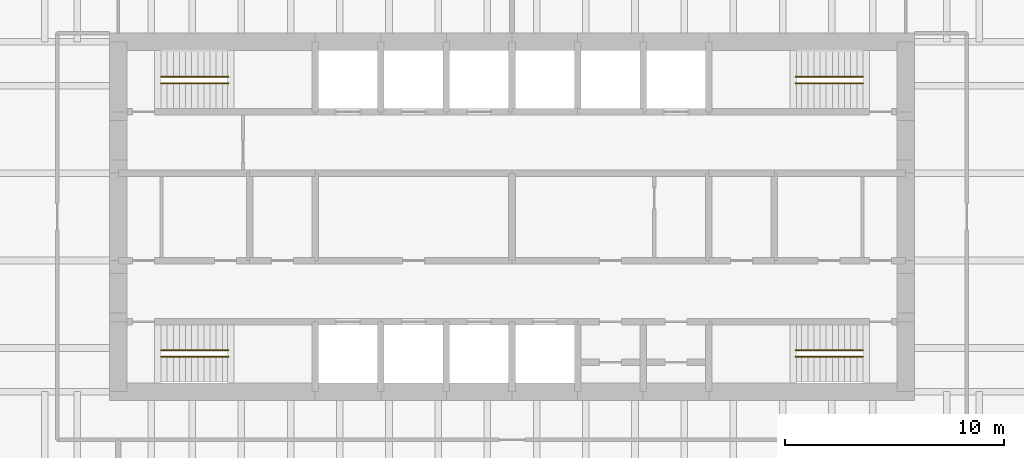
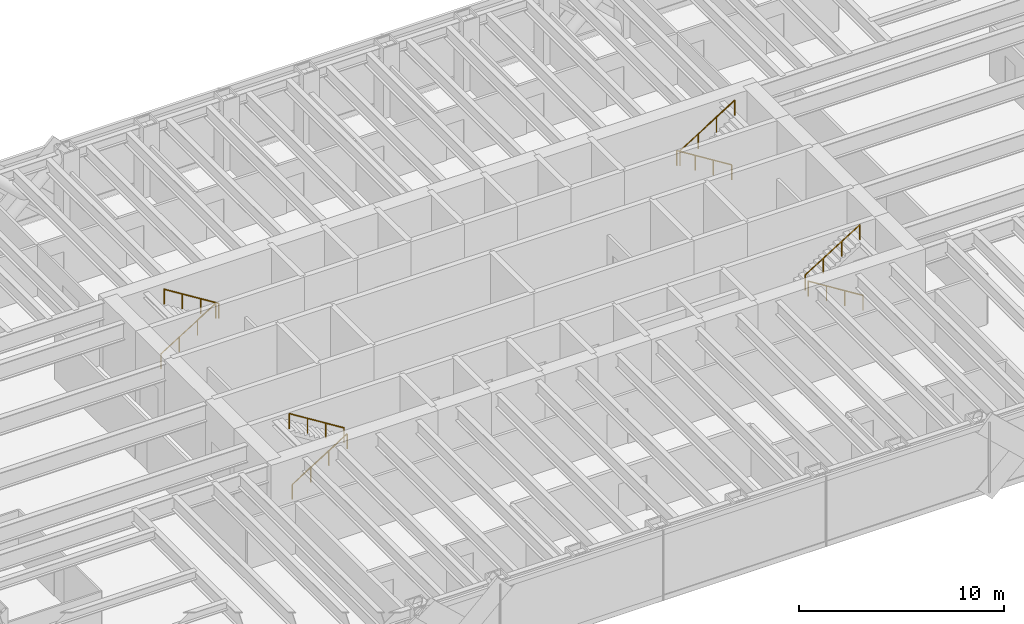
# One storey, part 17 of 17: 8 railings.
"""IFC4 building model written with IfcOpenShell, lengths in metres."""

from ifc_helpers import new_model, si_unit, direction, frame, origin, origin_2d, place, context, subcontext, project, spatial, circle, extrude, material, type_object, element, save


model = new_model("IFC4")

# Units and contexts
model_context = context("Model", 3, precision=1e-05, world=origin(), true_north=direction((0.0, 1.0)))
body_context = subcontext(model_context, "Body", "Model", "MODEL_VIEW")
ifc_project = project(units=[si_unit("LENGTHUNIT", "METRE"), si_unit("AREAUNIT", "SQUARE_METRE"), si_unit("VOLUMEUNIT", "CUBIC_METRE"), si_unit("PLANEANGLEUNIT", "RADIAN"), si_unit("MASSUNIT", "GRAM", prefix="KILO")], contexts=[model_context])

# Site, building, storey
site_placement = place(None, origin())
site = spatial("IfcSite", under=ifc_project, at=site_placement, CompositionType="ELEMENT")
building_placement = place(site_placement, origin())
building = spatial("IfcBuilding", under=site, at=building_placement, Name="Rheinbord Bourse Tower", CompositionType="ELEMENT")
storey_placement = place(building_placement, frame((0.0, 0.0, 227.800048828125)))
storey = spatial("IfcBuildingStorey", under=building, at=storey_placement, Name="L51", CompositionType="ELEMENT", Elevation=227.800048828125)

# Railings
ifc_material = material(Name="Steel handrail", Category="steel")
railing_type = type_object("IfcRailingType", Name="HANDRAIL 900", PredefinedType="HANDRAIL", material=ifc_material)
railing_1_placement = place(storey_placement, frame((19.949951171875, 17.60009765625, 0.175048828125)))
element("IfcRailing", 1, at=railing_1_placement, inside=storey, type_object=railing_type, Name="Handrail", PredefinedType="HANDRAIL", context=body_context, shape_type="SweptSolid", body=[
    extrude(circle(Radius=0.02392578125, at=origin_2d()), frame((0.0, 0.0, 0.8759765625), z_axis=(0.848028513186, 0.0, 0.529950602248), x_axis=(0.0, 1.0, 0.0)), (0.0, 0.0, 1.0), 3.632080078125),
    extrude(circle(Radius=0.02099609375, at=origin_2d()), origin(), (0.0, 0.0, 1.0), 0.851806640625),
    extrude(circle(Radius=0.02099609375, at=origin_2d()), frame((1.026611328125, 0.0, 0.6416015625)), (0.0, 0.0, 1.0), 0.851806640625),
    extrude(circle(Radius=0.02099609375, at=origin_2d()), frame((2.053466796875, 0.0, 1.283203125)), (0.0, 0.0, 1.0), 0.851806640625),
    extrude(circle(Radius=0.02099609375, at=origin_2d()), frame((3.080078125, 0.0, 1.9248046875)), (0.0, 0.0, 1.0), 0.851806640625),
])
railing_2_placement = place(storey_placement, frame((23.030029296875, 17.89990234375, 2.27490234375)))
element("IfcRailing", 2, at=railing_2_placement, inside=storey, type_object=railing_type, Name="Handrail", PredefinedType="HANDRAIL", context=body_context, shape_type="SweptSolid", body=[
    extrude(circle(Radius=0.02392578125, at=origin_2d()), frame((0.0, 0.0, 0.8759765625), z_axis=(-0.847998304005, 0.0, 0.529998940003), x_axis=(0.0, -1.0, 0.0)), (0.0, 0.0, 1.0), 3.632080078125),
    extrude(circle(Radius=0.02099609375, at=origin_2d()), origin(), (0.0, 0.0, 1.0), 0.851806640625),
    extrude(circle(Radius=0.02099609375, at=origin_2d()), frame((-1.026611328125, 0.0, 0.6416015625)), (0.0, 0.0, 1.0), 0.851806640625),
    extrude(circle(Radius=0.02099609375, at=origin_2d()), frame((-2.053466796875, 0.0, 1.283447265625)), (0.0, 0.0, 1.0), 0.851806640625),
    extrude(circle(Radius=0.02099609375, at=origin_2d()), frame((-3.080078125, 0.0, 1.925048828125)), (0.0, 0.0, 1.0), 0.851806640625),
])
railing_3_placement = place(storey_placement, frame((19.949951171875, 30.39990234375, 0.175048828125)))
element("IfcRailing", 3, at=railing_3_placement, inside=storey, type_object=railing_type, Name="Handrail", PredefinedType="HANDRAIL", context=body_context, shape_type="SweptSolid", body=[
    extrude(circle(Radius=0.02392578125, at=origin_2d()), frame((0.0, 0.0, 0.8759765625), z_axis=(0.848028513186, 0.0, 0.529950602248), x_axis=(0.0, 1.0, 0.0)), (0.0, 0.0, 1.0), 3.632080078125),
    extrude(circle(Radius=0.02099609375, at=origin_2d()), origin(), (0.0, 0.0, 1.0), 0.851806640625),
    extrude(circle(Radius=0.02099609375, at=origin_2d()), frame((1.026611328125, 0.0, 0.6416015625)), (0.0, 0.0, 1.0), 0.851806640625),
    extrude(circle(Radius=0.02099609375, at=origin_2d()), frame((2.053466796875, 0.0, 1.283203125)), (0.0, 0.0, 1.0), 0.851806640625),
    extrude(circle(Radius=0.02099609375, at=origin_2d()), frame((3.080078125, 0.0, 1.9248046875)), (0.0, 0.0, 1.0), 0.851806640625),
])
railing_4_placement = place(storey_placement, frame((23.030029296875, 30.10009765625, 2.27490234375)))
element("IfcRailing", 4, at=railing_4_placement, inside=storey, type_object=railing_type, Name="Handrail", PredefinedType="HANDRAIL", context=body_context, shape_type="SweptSolid", body=[
    extrude(circle(Radius=0.02392578125, at=origin_2d()), frame((0.0, 0.0, 0.8759765625), z_axis=(-0.847998304005, 0.0, 0.529998940003), x_axis=(0.0, -1.0, 0.0)), (0.0, 0.0, 1.0), 3.632080078125),
    extrude(circle(Radius=0.02099609375, at=origin_2d()), origin(), (0.0, 0.0, 1.0), 0.851806640625),
    extrude(circle(Radius=0.02099609375, at=origin_2d()), frame((-1.026611328125, 0.0, 0.6416015625)), (0.0, 0.0, 1.0), 0.851806640625),
    extrude(circle(Radius=0.02099609375, at=origin_2d()), frame((-2.053466796875, 0.0, 1.283447265625)), (0.0, 0.0, 1.0), 0.851806640625),
    extrude(circle(Radius=0.02099609375, at=origin_2d()), frame((-3.080078125, 0.0, 1.925048828125)), (0.0, 0.0, 1.0), 0.851806640625),
])
railing_5_placement = place(storey_placement, frame((52.050048828125, 17.60009765625, 0.175048828125)))
element("IfcRailing", 5, at=railing_5_placement, inside=storey, type_object=railing_type, Name="Handrail", PredefinedType="HANDRAIL", context=body_context, shape_type="SweptSolid", body=[
    extrude(circle(Radius=0.02392578125, at=origin_2d()), frame((0.0, 0.0, 0.8759765625), z_axis=(-0.848028513186, 0.0, 0.529950602248), x_axis=(0.0, -1.0, 0.0)), (0.0, 0.0, 1.0), 3.632080078125),
    extrude(circle(Radius=0.02099609375, at=origin_2d()), origin(), (0.0, 0.0, 1.0), 0.851806640625),
    extrude(circle(Radius=0.02099609375, at=origin_2d()), frame((-1.026611328125, 0.0, 0.6416015625)), (0.0, 0.0, 1.0), 0.851806640625),
    extrude(circle(Radius=0.02099609375, at=origin_2d()), frame((-2.053466796875, 0.0, 1.283203125)), (0.0, 0.0, 1.0), 0.851806640625),
    extrude(circle(Radius=0.02099609375, at=origin_2d()), frame((-3.080078125, 0.0, 1.9248046875)), (0.0, 0.0, 1.0), 0.851806640625),
])
railing_6_placement = place(storey_placement, frame((48.969970703125, 17.89990234375, 2.27490234375)))
element("IfcRailing", 6, at=railing_6_placement, inside=storey, type_object=railing_type, Name="Handrail", PredefinedType="HANDRAIL", context=body_context, shape_type="SweptSolid", body=[
    extrude(circle(Radius=0.02392578125, at=origin_2d()), frame((0.0, 0.0, 0.8759765625), z_axis=(0.847998304005, 0.0, 0.529998940003), x_axis=(0.0, 1.0, 0.0)), (0.0, 0.0, 1.0), 3.632080078125),
    extrude(circle(Radius=0.02099609375, at=origin_2d()), origin(), (0.0, 0.0, 1.0), 0.851806640625),
    extrude(circle(Radius=0.02099609375, at=origin_2d()), frame((1.026611328125, 0.0, 0.6416015625)), (0.0, 0.0, 1.0), 0.851806640625),
    extrude(circle(Radius=0.02099609375, at=origin_2d()), frame((2.053466796875, 0.0, 1.283447265625)), (0.0, 0.0, 1.0), 0.851806640625),
    extrude(circle(Radius=0.02099609375, at=origin_2d()), frame((3.080078125, 0.0, 1.925048828125)), (0.0, 0.0, 1.0), 0.851806640625),
])
railing_7_placement = place(storey_placement, frame((52.050048828125, 30.39990234375, 0.175048828125)))
element("IfcRailing", 7, at=railing_7_placement, inside=storey, type_object=railing_type, Name="Handrail", PredefinedType="HANDRAIL", context=body_context, shape_type="SweptSolid", body=[
    extrude(circle(Radius=0.02392578125, at=origin_2d()), frame((0.0, 0.0, 0.8759765625), z_axis=(-0.848028513186, 0.0, 0.529950602248), x_axis=(0.0, -1.0, 0.0)), (0.0, 0.0, 1.0), 3.632080078125),
    extrude(circle(Radius=0.02099609375, at=origin_2d()), origin(), (0.0, 0.0, 1.0), 0.851806640625),
    extrude(circle(Radius=0.02099609375, at=origin_2d()), frame((-1.026611328125, 0.0, 0.6416015625)), (0.0, 0.0, 1.0), 0.851806640625),
    extrude(circle(Radius=0.02099609375, at=origin_2d()), frame((-2.053466796875, 0.0, 1.283203125)), (0.0, 0.0, 1.0), 0.851806640625),
    extrude(circle(Radius=0.02099609375, at=origin_2d()), frame((-3.080078125, 0.0, 1.9248046875)), (0.0, 0.0, 1.0), 0.851806640625),
])
railing_8_placement = place(storey_placement, frame((48.969970703125, 30.10009765625, 2.27490234375)))
element("IfcRailing", 8, at=railing_8_placement, inside=storey, type_object=railing_type, Name="Handrail", PredefinedType="HANDRAIL", context=body_context, shape_type="SweptSolid", body=[
    extrude(circle(Radius=0.02392578125, at=origin_2d()), frame((0.0, 0.0, 0.8759765625), z_axis=(0.847998304005, 0.0, 0.529998940003), x_axis=(0.0, 1.0, 0.0)), (0.0, 0.0, 1.0), 3.632080078125),
    extrude(circle(Radius=0.02099609375, at=origin_2d()), origin(), (0.0, 0.0, 1.0), 0.851806640625),
    extrude(circle(Radius=0.02099609375, at=origin_2d()), frame((1.026611328125, 0.0, 0.6416015625)), (0.0, 0.0, 1.0), 0.851806640625),
    extrude(circle(Radius=0.02099609375, at=origin_2d()), frame((2.053466796875, 0.0, 1.283447265625)), (0.0, 0.0, 1.0), 0.851806640625),
    extrude(circle(Radius=0.02099609375, at=origin_2d()), frame((3.080078125, 0.0, 1.925048828125)), (0.0, 0.0, 1.0), 0.851806640625),
])

save(model, "model.ifc")
